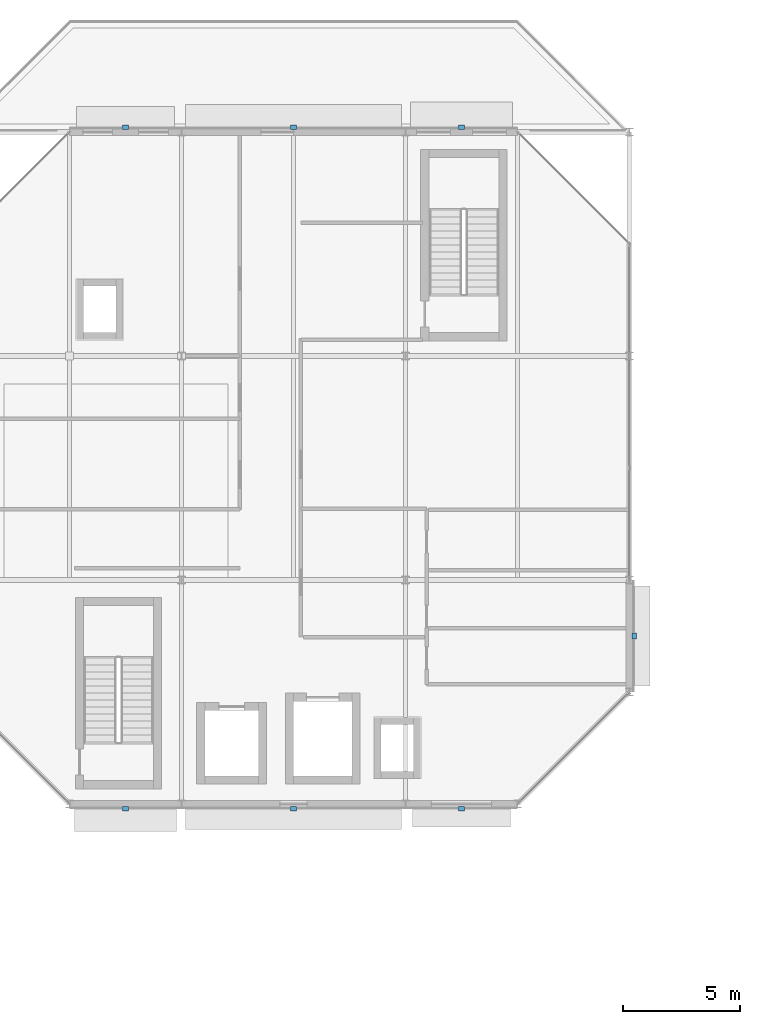
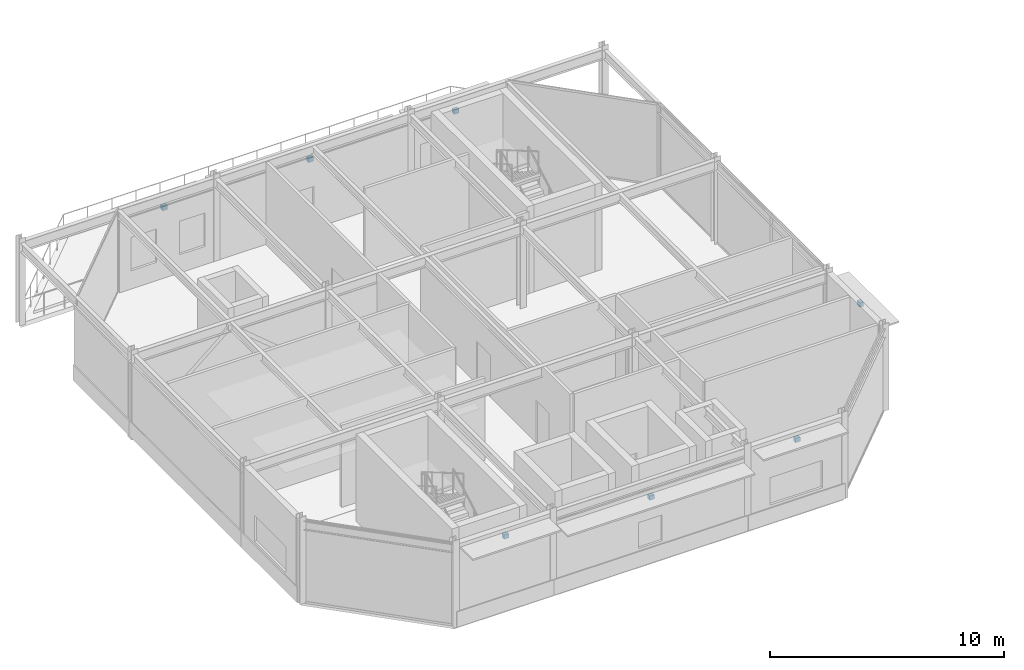
# One storey, part 41 of 50: 7 discrete accessories.
"""IFC4 building model written with IfcOpenShell, lengths in metres."""

from ifc_helpers import new_model, si_unit, direction, frame, origin, origin_2d, place, context, subcontext, project, spatial, rectangle, extrude, material, layer, layer_set, type_object, element, save


model = new_model("IFC4")

# Units and contexts
model_context = context("Model", 3, precision=1e-05, world=origin(), true_north=direction((0.0, 1.0)))
body_context = subcontext(model_context, "Body", "Model", "MODEL_VIEW")
ifc_project = project(units=[si_unit("LENGTHUNIT", "METRE"), si_unit("AREAUNIT", "SQUARE_METRE"), si_unit("VOLUMEUNIT", "CUBIC_METRE"), si_unit("PLANEANGLEUNIT", "RADIAN"), si_unit("MASSUNIT", "GRAM", prefix="KILO")], contexts=[model_context])

# Site, building, storey
site_placement = place(None, origin())
site = spatial("IfcSite", under=ifc_project, at=site_placement, CompositionType="ELEMENT")
building_placement = place(site_placement, origin())
building = spatial("IfcBuilding", under=site, at=building_placement, Name="Almandine Court Research Institute", CompositionType="ELEMENT")
storey_placement = place(building_placement, frame((0.0, 0.0, 23.449951171875)))
storey = spatial("IfcBuildingStorey", under=building, at=storey_placement, Name="L05", CompositionType="ELEMENT", Elevation=23.449951171875)

# Discrete accessories
ifc_material = material(Name="Galvanised Steel Facade Outrigger Bracket", Category="steel")
ifc_layer = layer(ifc_material, 0.219970703125)
ifc_layer_set = layer_set([ifc_layer], Name="Galvanised Steel Facade Outrigger Bracket")
discrete_accessory_type = type_object("IfcDiscreteAccessoryType", Name="Acc-CHJ-BRACKET", PredefinedType="BRACKET", material=ifc_layer_set)
for number, where, z_axis, x_axis, name in (
    (1, (13.199951171875, 113.0048828125, 3.31982421875), (0.0, 0.0, 1.0), (1.0, 0.0, 0.0), "L05 Chhajja Outrigger Bracket 51"),
    (2, (20.39990234375, 113.0048828125, 3.31982421875), (0.0, 0.0, 1.0), (1.0, 0.0, 0.0), "L05 Chhajja Outrigger Bracket 52"),
    (3, (27.60009765625, 113.0048828125, 3.31982421875), (0.0, 0.0, 1.0), (1.0, 0.0, 0.0), "L05 Chhajja Outrigger Bracket 53"),
    (4, (35.0048828125, 91.199951171875, 3.8798828125), (0.0, 0.0, 1.0), (0.0, -1.0, 0.0), "L05 Chhajja Outrigger Bracket 54"),
    (5, (27.60009765625, 83.794921875, 3.8798828125), (0.0, 0.0, 1.0), (-1.0, 0.0, 0.0), "L05 Chhajja Outrigger Bracket 55"),
    (6, (20.39990234375, 83.794921875, 3.39208984375), (0.0, 0.0, 1.0), (-1.0, 0.0, 0.0), "L05 Chhajja Outrigger Bracket 56"),
    (7, (13.199951171875, 83.794921875, 3.8798828125), (0.0, 0.0, 1.0), (-1.0, 0.0, 0.0), "L05 Chhajja Outrigger Bracket 57"),
):
    element("IfcDiscreteAccessory", number, at=place(storey_placement, frame(where, z_axis=z_axis, x_axis=x_axis)), inside=storey, type_object=discrete_accessory_type, Name=name, PredefinedType="BRACKET", context=body_context, shape_type="SweptSolid", body=[
        extrude(rectangle(XDim=0.239990234375, YDim=0.179931640625, at=origin_2d()), origin(), (0.0, 0.0, 1.0), 0.219970703125),
    ])

save(model, "model.ifc")
